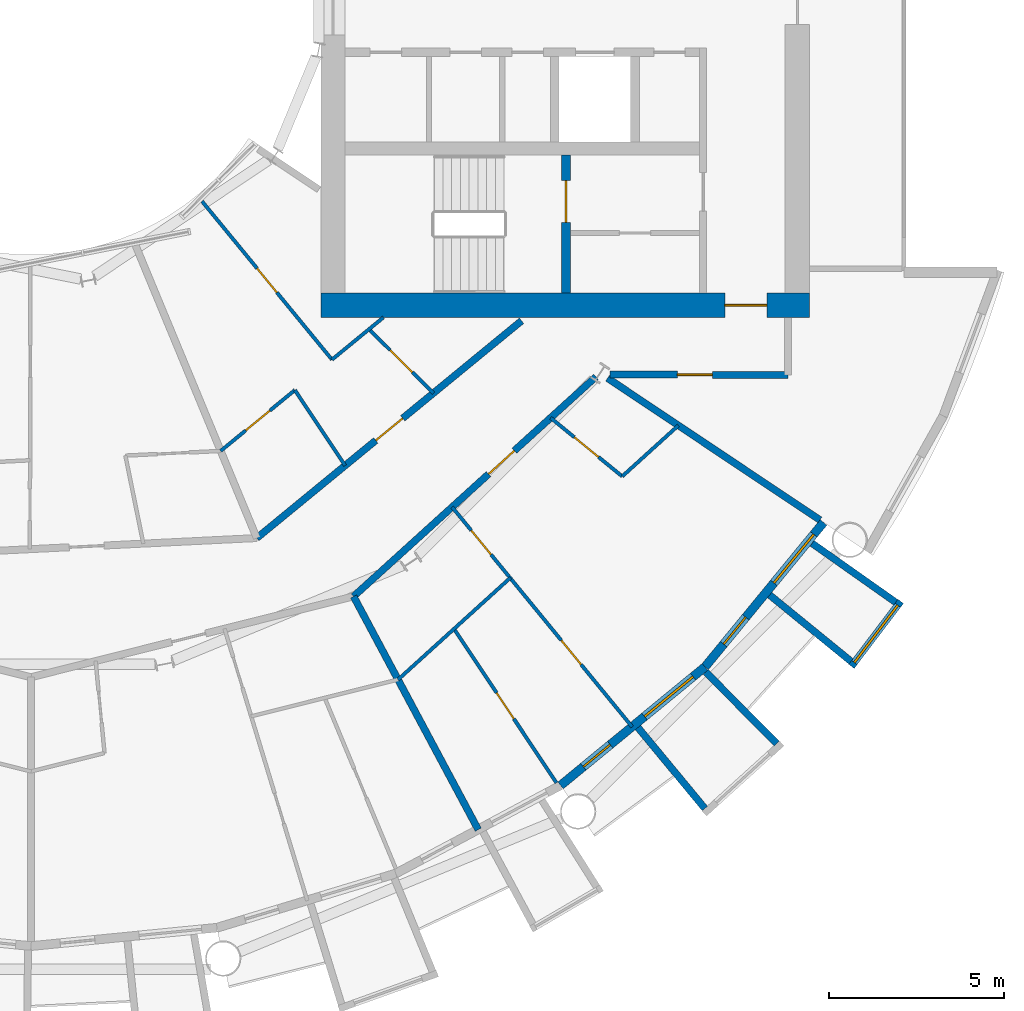
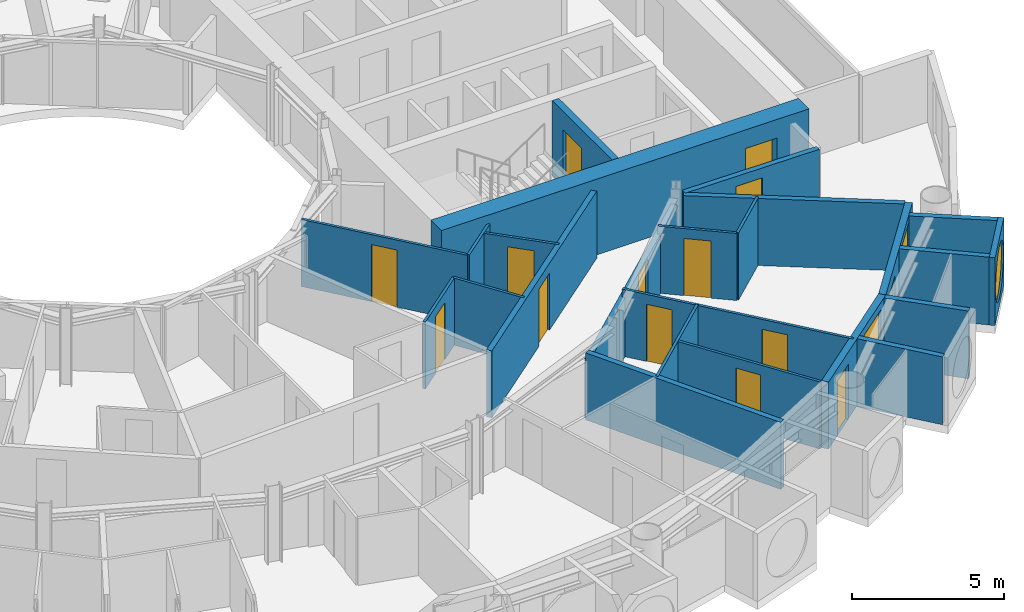
# One storey, part 16 of 26: 24 walls, 14 doors, 3 windows, 17 openings.
"""IFC4 building model written with IfcOpenShell, lengths in metres."""

from ifc_helpers import new_model, si_unit, direction, frame, frame_2d, origin, place, context, subcontext, project, spatial, rectangle, circle, extrude, material, layer, layer_set, type_object, element, fill, save


model = new_model("IFC4")

# Units and contexts
model_context = context("Model", 3, precision=1e-05, world=origin(), true_north=direction((0.0, 1.0)))
body_context = subcontext(model_context, "Body", "Model", "MODEL_VIEW")
ifc_project = project(units=[si_unit("LENGTHUNIT", "METRE"), si_unit("AREAUNIT", "SQUARE_METRE"), si_unit("VOLUMEUNIT", "CUBIC_METRE"), si_unit("PLANEANGLEUNIT", "RADIAN"), si_unit("MASSUNIT", "GRAM", prefix="KILO")], contexts=[model_context])

# Site, building, storey
site_placement = place(None, origin())
site = spatial("IfcSite", under=ifc_project, at=site_placement, CompositionType="ELEMENT")
building_placement = place(site_placement, origin())
building = spatial("IfcBuilding", under=site, at=building_placement, Name="Maasbend Ring Residences", CompositionType="ELEMENT")
storey_placement = place(building_placement, frame((0.0, 0.0, 81.89990234375)))
storey = spatial("IfcBuildingStorey", under=building, at=storey_placement, Name="L23", CompositionType="ELEMENT", Elevation=81.89990234375)

# Wall, opening, door
ifc_material_1 = material(Name="Concrete C70/85", Category="concrete")
ifc_layer_1 = layer(ifc_material_1, 0.25)
ifc_layer_set_1 = layer_set([ifc_layer_1], Name="Concrete C70/85")
wall_type_1 = type_object("IfcWallType", Name="CORE WALL 250 C70/85", PredefinedType="SHEAR", material=ifc_layer_set_1)
wall_1_placement = place(storey_placement, frame((15.324951171875, -8.60009765625, 0.0), z_axis=(0.0, 0.0, 1.0), x_axis=(0.0, 1.0, 0.0)))
wall_1 = element("IfcWall", 1, at=wall_1_placement, inside=storey, type_object=wall_type_1, Name="L23 core E wall STES", PredefinedType="SHEAR", context=body_context, shape_type="SweptSolid", body=[
    extrude(rectangle(XDim=3.9501953125, YDim=0.25, at=frame_2d((1.97509765625, 0.0))), origin(), (0.0, 0.0, 1.0), 3.050048828125),
])
opening_1_placement = place(wall_1_placement, frame((2.02490234375, 0.0, 0.0)))
opening_1 = element("IfcOpeningElement", 2, at=opening_1_placement, cuts=wall_1, Name="Opening D-E2312", PredefinedType="OPENING", context=body_context, shape_type="SweptSolid", body=[
    extrude(rectangle(XDim=1.199951171875, YDim=2.300048828125, at=frame_2d((0.60009765625, 1.14990234375))), frame((0.0, 0.135009765625, 0.0), z_axis=(0.0, -1.0, 0.0), x_axis=(1.0, 0.0, 0.0)), (0.0, 0.0, 1.0), 0.27001953125),
])
ifc_material_2 = material(Name="Steel, powder coated", Category="steel")
door_type_1 = type_object("IfcDoorType", Name="STAIR DOOR 1200 X 2300 FD60", OperationType="NOTDEFINED", PredefinedType="DOOR", material=ifc_material_2)
door_1_placement = place(opening_1_placement, origin())
door_1 = element("IfcDoor", 3, at=door_1_placement, inside=storey, type_object=door_type_1, Name="Stair door ST-E L23", OperationType="SINGLE_SWING_LEFT", OverallHeight=2.300048828125, OverallWidth=1.199951171875, PredefinedType="DOOR", context=body_context, shape_type="SweptSolid", body=[
    extrude(rectangle(XDim=1.199951171875, YDim=2.300048828125, at=frame_2d((0.60009765625, 1.14990234375))), frame((0.0, 0.02490234375, 0.0), z_axis=(0.0, -1.0, 0.0), x_axis=(1.0, 0.0, 0.0)), (0.0, 0.0, 1.0), 0.050048828125),
])
fill(opening_1, door_1)

ifc_material_3 = material(Name="Concrete C70/85", Category="concrete")
ifc_layer_2 = layer(ifc_material_3, 0.699951171875)
ifc_layer_set_2 = layer_set([ifc_layer_2], Name="Concrete C70/85")
wall_type_2 = type_object("IfcWallType", Name="CORE WALL 700 C70/85", PredefinedType="SHEAR", material=ifc_layer_set_2)
wall_2_placement = place(storey_placement, frame((8.300048828125, -8.949951171875, 0.0), z_axis=(0.0, 0.0, 1.0), x_axis=(1.0, 0.0, 0.0)))
wall_2 = element("IfcWall", 4, at=wall_2_placement, inside=storey, type_object=wall_type_2, Name="L23 core E wall PS", PredefinedType="SHEAR", context=body_context, shape_type="SweptSolid", body=[
    extrude(rectangle(XDim=14.0, YDim=0.699951171875, at=frame_2d((7.0, 0.0))), origin(), (0.0, 0.0, 1.0), 3.050048828125),
])
opening_2_placement = place(wall_2_placement, frame((11.574951171875, 0.0, 0.0)))
opening_2 = element("IfcOpeningElement", 5, at=opening_2_placement, cuts=wall_2, Name="Opening D-E2316", PredefinedType="OPENING", context=body_context, shape_type="SweptSolid", body=[
    extrude(rectangle(XDim=1.199951171875, YDim=2.300048828125, at=frame_2d((0.60009765625, 1.14990234375))), frame((0.0, 0.35986328125, 0.0), z_axis=(0.0, -1.0, 0.0), x_axis=(1.0, 0.0, 0.0)), (0.0, 0.0, 1.0), 0.719970703125),
])
ifc_material_4 = material(Name="Steel, powder coated", Category="steel")
door_type_2 = type_object("IfcDoorType", Name="CORRIDOR DOOR 1200 X 2300 FD30S", OperationType="NOTDEFINED", PredefinedType="DOOR", material=ifc_material_4)
door_2_placement = place(opening_2_placement, origin())
door_2 = element("IfcDoor", 6, at=door_2_placement, inside=storey, type_object=door_type_2, Name="Corridor door L23", OperationType="SINGLE_SWING_LEFT", OverallHeight=2.300048828125, OverallWidth=1.199951171875, PredefinedType="DOOR", context=body_context, shape_type="SweptSolid", body=[
    extrude(rectangle(XDim=1.199951171875, YDim=2.300048828125, at=frame_2d((0.60009765625, 1.14990234375))), frame((0.0, 0.02490234375, 0.0), z_axis=(0.0, -1.0, 0.0), x_axis=(1.0, 0.0, 0.0)), (0.0, 0.0, 1.0), 0.050048828125),
])
fill(opening_2, door_2)

ifc_material_5 = material(Name="Concrete C30/37", Category="concrete")
ifc_layer_3 = layer(ifc_material_5, 0.199951171875)
ifc_layer_set_3 = layer_set([ifc_layer_3], Name="Concrete C30/37")
wall_type_3 = type_object("IfcWallType", Name="CORRIDOR WALL 200 CONCRETE", PredefinedType="PARTITIONING", material=ifc_layer_set_3)
wall_3_placement = place(storey_placement, frame((9.239013671875, -17.285888671875, 0.0), z_axis=(0.0, 0.0, 1.0), x_axis=(0.740909940942, 0.671604392044, 0.0)))
wall_3 = element("IfcWall", 7, at=wall_3_placement, inside=storey, type_object=wall_type_3, Name="U-L23-w014", PredefinedType="PARTITIONING", context=body_context, shape_type="SweptSolid", body=[
    extrude(rectangle(XDim=9.36669921875, YDim=0.199951171875, at=frame_2d((4.683349609375, 0.0))), origin(), (0.0, 0.0, 1.0), 2.380126953125),
])
opening_3_placement = place(wall_3_placement, frame((5.215087890625, 0.0, 0.0)))
opening_3 = element("IfcOpeningElement", 8, at=opening_3_placement, cuts=wall_3, Name="Opening D-2348", PredefinedType="OPENING", context=body_context, shape_type="SweptSolid", body=[
    extrude(rectangle(XDim=1.0, YDim=2.300048828125, at=frame_2d((0.5, 1.14990234375))), frame((0.0, 0.10986328125, 0.0), z_axis=(0.0, -1.0, 0.0), x_axis=(1.0, 0.0, 0.0)), (0.0, 0.0, 1.0), 0.219970703125),
])
ifc_material_6 = material(Name="Timber, fire-rated, painted", Category="wood")
door_type_3 = type_object("IfcDoorType", Name="FLAT ENTRANCE DOOR 1000 X 2300 FIRE-RATED", OperationType="NOTDEFINED", PredefinedType="DOOR", material=ifc_material_6)
door_3_placement = place(opening_3_placement, origin())
door_3 = element("IfcDoor", 9, at=door_3_placement, inside=storey, type_object=door_type_3, Name="D-2348", OperationType="SINGLE_SWING_RIGHT", OverallHeight=2.300048828125, OverallWidth=1.0, PredefinedType="DOOR", context=body_context, shape_type="SweptSolid", body=[
    extrude(rectangle(XDim=1.0, YDim=2.300048828125, at=frame_2d((0.5, 1.14990234375))), frame((0.0, 0.02490234375, 0.0), z_axis=(0.0, -1.0, 0.0), x_axis=(1.0, 0.0, 0.0)), (0.0, 0.0, 1.0), 0.050048828125),
])
fill(opening_3, door_3)

wall_4_placement = place(storey_placement, frame((6.467041015625, -15.614013671875, 0.0), z_axis=(0.0, 0.0, 1.0), x_axis=(0.773074935257, 0.634314704605, 0.0)))
wall_4 = element("IfcWall", 10, at=wall_4_placement, inside=storey, type_object=wall_type_3, Name="U-L23-w015", PredefinedType="PARTITIONING", context=body_context, shape_type="SweptSolid", body=[
    extrude(rectangle(XDim=9.808837890625, YDim=0.199951171875, at=frame_2d((4.904296875, 0.0))), origin(), (0.0, 0.0, 1.0), 2.7001953125),
])
opening_4_placement = place(wall_4_placement, frame((4.406982421875, 0.0, 0.0)))
opening_4 = element("IfcOpeningElement", 11, at=opening_4_placement, cuts=wall_4, Name="Opening D-2361", PredefinedType="OPENING", context=body_context, shape_type="SweptSolid", body=[
    extrude(rectangle(XDim=1.0, YDim=2.300048828125, at=frame_2d((0.5, 1.14990234375))), frame((0.0, 0.10986328125, 0.0), z_axis=(0.0, -1.0, 0.0), x_axis=(1.0, 0.0, 0.0)), (0.0, 0.0, 1.0), 0.219970703125),
])
door_4_placement = place(opening_4_placement, origin())
door_4 = element("IfcDoor", 12, at=door_4_placement, inside=storey, type_object=door_type_3, Name="D-2361", OperationType="SINGLE_SWING_RIGHT", OverallHeight=2.300048828125, OverallWidth=1.0, PredefinedType="DOOR", context=body_context, shape_type="SweptSolid", body=[
    extrude(rectangle(XDim=1.0, YDim=2.300048828125, at=frame_2d((0.5, 1.14990234375))), frame((0.0, 0.02490234375, 0.0), z_axis=(0.0, -1.0, 0.0), x_axis=(1.0, 0.0, 0.0)), (0.0, 0.0, 1.0), 0.050048828125),
])
fill(opening_4, door_4)

wall_5_placement = place(storey_placement, frame((16.587890625, -10.925048828125, 0.0), z_axis=(0.0, 0.0, 1.0), x_axis=(0.999988019025, -0.004895079807, 0.0)))
wall_5 = element("IfcWall", 13, at=wall_5_placement, inside=storey, type_object=wall_type_3, Name="U-L23-w025", PredefinedType="PARTITIONING", context=body_context, shape_type="SweptSolid", body=[
    extrude(rectangle(XDim=5.087158203125, YDim=0.199951171875, at=frame_2d((2.54345703125, 0.0))), origin(), (0.0, 0.0, 1.0), 2.7001953125),
])
opening_5_placement = place(wall_5_placement, frame((1.925048828125, 0.0, 0.0)))
opening_5 = element("IfcOpeningElement", 14, at=opening_5_placement, cuts=wall_5, Name="Opening D-2367", PredefinedType="OPENING", context=body_context, shape_type="SweptSolid", body=[
    extrude(rectangle(XDim=1.0, YDim=2.300048828125, at=frame_2d((0.5, 1.14990234375))), frame((0.0, 0.10986328125, 0.0), z_axis=(0.0, -1.0, 0.0), x_axis=(1.0, 0.0, 0.0)), (0.0, 0.0, 1.0), 0.219970703125),
])
ifc_material_7 = material(Name="Timber, painted", Category="wood")
door_type_4 = type_object("IfcDoorType", Name="ROOM DOOR 1000 X 2300", OperationType="NOTDEFINED", PredefinedType="DOOR", material=ifc_material_7)
door_5_placement = place(opening_5_placement, origin())
door_5 = element("IfcDoor", 15, at=door_5_placement, inside=storey, type_object=door_type_4, Name="D-2367", OperationType="SINGLE_SWING_LEFT", OverallHeight=2.300048828125, OverallWidth=1.0, PredefinedType="DOOR", context=body_context, shape_type="SweptSolid", body=[
    extrude(rectangle(XDim=1.0, YDim=2.300048828125, at=frame_2d((0.5, 1.14990234375))), frame((0.0, 0.02490234375, 0.0), z_axis=(0.0, -1.0, 0.0), x_axis=(1.0, 0.0, 0.0)), (0.0, 0.0, 1.0), 0.050048828125),
])
fill(opening_5, door_5)

# Walls
ifc_material_8 = material(Name="Pale anodised aluminium panel", Category="aluminium")
ifc_layer_4 = layer(ifc_material_8, 0.199951171875)
ifc_layer_set_4 = layer_set([ifc_layer_4], Name="EW-BOX")
wall_type_4 = type_object("IfcWallType", Name="EW-BOX", PredefinedType="SOLIDWALL", material=ifc_layer_set_4)
wall_6_placement = place(storey_placement, frame((17.384033203125, -21.041015625, -0.02978515625), z_axis=(0.0, 0.0, 1.0), x_axis=(0.63709551667, -0.770784861449, 0.0)))
element("IfcWall", 16, at=wall_6_placement, inside=storey, type_object=wall_type_4, Name="Box side wall S18 left", PredefinedType="SOLIDWALL", context=body_context, shape_type="SweptSolid", body=[
    extrude(rectangle(XDim=3.005859375, YDim=0.199951171875, at=frame_2d((1.5029296875, 0.0))), origin(), (0.0, 0.0, 1.0), 2.72998046875),
])
wall_7_placement = place(storey_placement, frame((19.322998046875, -19.449951171875, -0.02978515625), z_axis=(0.0, 0.0, 1.0), x_axis=(0.704476739375, -0.709727076896, 0.0)))
element("IfcWall", 17, at=wall_7_placement, inside=storey, type_object=wall_type_4, Name="Box side wall S18 right", PredefinedType="SOLIDWALL", context=body_context, shape_type="SweptSolid", body=[
    extrude(rectangle(XDim=2.883056640625, YDim=0.199951171875, at=frame_2d((1.44140625, 0.0))), origin(), (0.0, 0.0, 1.0), 2.72998046875),
])

# Wall, opening, window
wall_8_placement = place(storey_placement, frame((23.4970703125, -19.2890625, -0.02978515625), z_axis=(0.0, 0.0, 1.0), x_axis=(0.60418752353, 0.796842165306, 0.0)))
wall_8 = element("IfcWall", 18, at=wall_8_placement, inside=storey, type_object=wall_type_4, Name="Box front S20", PredefinedType="SOLIDWALL", context=body_context, shape_type="SweptSolid", body=[
    extrude(rectangle(XDim=2.3369140625, YDim=0.199951171875, at=frame_2d((1.16845703125, 0.0))), origin(), (0.0, 0.0, 1.0), 2.72998046875),
])
opening_6_placement = place(wall_8_placement, frame((0.128173828125, 0.0, 0.330078125)))
opening_6 = element("IfcOpeningElement", 19, at=opening_6_placement, cuts=wall_8, Name="Opening W-RD", PredefinedType="OPENING", context=body_context, shape_type="SweptSolid", body=[
    extrude(circle(Radius=1.0400390625, at=frame_2d((1.0400390625, 1.0400390625))), frame((0.0, 0.10986328125, 0.0), z_axis=(0.0, -1.0, 0.0), x_axis=(1.0, 0.0, 0.0)), (0.0, 0.0, 1.0), 0.219970703125),
])
ifc_material_9 = material(Name="Aluminium and clear glass", Category="aluminium")
window_type_1 = type_object("IfcWindowType", Name="W-RD", PartitioningType="SINGLE_PANEL", PredefinedType="WINDOW", material=ifc_material_9)
window_1_placement = place(opening_6_placement, origin())
window_1 = element("IfcWindow", 20, at=window_1_placement, inside=storey, type_object=window_type_1, Name="Round window S20", OverallHeight=2.080078125, OverallWidth=2.080078125, PartitioningType="SINGLE_PANEL", PredefinedType="WINDOW", context=body_context, shape_type="SweptSolid", body=[
    extrude(circle(Radius=1.0400390625, at=frame_2d((1.0400390625, 1.0400390625))), frame((0.0, 0.030029296875, 0.0), z_axis=(0.0, -1.0, 0.0), x_axis=(1.0, 0.0, 0.0)), (0.0, 0.0, 1.0), 0.06005859375),
])
fill(opening_6, window_1)

# Walls
wall_9_placement = place(storey_placement, frame((21.155029296875, -17.24609375, -0.02978515625), z_axis=(0.0, 0.0, 1.0), x_axis=(0.775179004516, -0.631741648902, 0.0)))
element("IfcWall", 21, at=wall_9_placement, inside=storey, type_object=wall_type_4, Name="Box side wall S20 left", PredefinedType="SOLIDWALL", context=body_context, shape_type="SweptSolid", body=[
    extrude(rectangle(XDim=3.005859375, YDim=0.199951171875, at=frame_2d((1.5029296875, 0.0))), origin(), (0.0, 0.0, 1.0), 2.72998046875),
])
wall_10_placement = place(storey_placement, frame((22.3701171875, -15.764892578125, -0.02978515625), z_axis=(0.0, 0.0, 1.0), x_axis=(0.817256123454, -0.576274612209, 0.0)))
element("IfcWall", 22, at=wall_10_placement, inside=storey, type_object=wall_type_4, Name="Box side wall S20 right", PredefinedType="SOLIDWALL", context=body_context, shape_type="SweptSolid", body=[
    extrude(rectangle(XDim=2.932861328125, YDim=0.199951171875, at=frame_2d((1.46630859375, 0.0))), origin(), (0.0, 0.0, 1.0), 2.72998046875),
])

# Wall, openings, door, window
ifc_material_10 = material(Name="Aluminium clad insulated panel", Category="aluminium")
ifc_layer_5 = layer(ifc_material_10, 0.25)
ifc_layer_set_5 = layer_set([ifc_layer_5], Name="EW-GL")
wall_type_5 = type_object("IfcWallType", Name="EW-GL", PredefinedType="SOLIDWALL", material=ifc_layer_set_5)
wall_11_placement = place(storey_placement, frame((15.1669921875, -22.698974609375, 0.0), z_axis=(0.0, 0.0, 1.0), x_axis=(0.773019449054, 0.634382322723, 0.0)))
wall_11 = element("IfcWall", 23, at=wall_11_placement, inside=storey, type_object=wall_type_5, Name="External wall S09", PredefinedType="SOLIDWALL", context=body_context, shape_type="SweptSolid", body=[
    extrude(rectangle(XDim=5.351806640625, YDim=0.25, at=frame_2d((2.67578125, 0.0))), origin(), (0.0, 0.0, 1.0), 2.7001953125),
])
opening_7_placement = place(wall_11_placement, frame((0.841064453125, 0.0, 0.0)))
opening_7 = element("IfcOpeningElement", 24, at=opening_7_placement, cuts=wall_11, Name="Opening D-LG", PredefinedType="OPENING", context=body_context, shape_type="SweptSolid", body=[
    extrude(rectangle(XDim=1.0, YDim=2.199951171875, at=frame_2d((0.5, 1.10009765625))), frame((0.0, 0.135009765625, 0.0), z_axis=(0.0, -1.0, 0.0), x_axis=(1.0, 0.0, 0.0)), (0.0, 0.0, 1.0), 0.27001953125),
])
opening_8_placement = place(wall_11_placement, frame((3.110595703125, 0.0, 0.300048828125)))
opening_8 = element("IfcOpeningElement", 25, at=opening_8_placement, cuts=wall_11, Name="Opening W-BX", PredefinedType="OPENING", context=body_context, shape_type="SweptSolid", body=[
    extrude(rectangle(XDim=1.800048828125, YDim=2.10009765625, at=frame_2d((0.89990234375, 1.050048828125))), frame((0.0, 0.135009765625, 0.0), z_axis=(0.0, -1.0, 0.0), x_axis=(1.0, 0.0, 0.0)), (0.0, 0.0, 1.0), 0.27001953125),
])
ifc_material_11 = material(Name="Aluminium and clear glass", Category="aluminium")
door_type_5 = type_object("IfcDoorType", Name="D-LG", OperationType="SINGLE_SWING_LEFT", PredefinedType="DOOR", material=ifc_material_11)
door_6_placement = place(opening_7_placement, origin())
door_6 = element("IfcDoor", 26, at=door_6_placement, inside=storey, type_object=door_type_5, Name="Loggia door S17", OperationType="SINGLE_SWING_LEFT", OverallHeight=2.199951171875, OverallWidth=1.0, PredefinedType="DOOR", context=body_context, shape_type="SweptSolid", body=[
    extrude(rectangle(XDim=1.0, YDim=2.199951171875, at=frame_2d((0.5, 1.10009765625))), frame((0.0, 0.02490234375, 0.0), z_axis=(0.0, -1.0, 0.0), x_axis=(1.0, 0.0, 0.0)), (0.0, 0.0, 1.0), 0.050048828125),
])
fill(opening_7, door_6)
ifc_material_12 = material(Name="Aluminium and clear glass", Category="aluminium")
window_type_2 = type_object("IfcWindowType", Name="W-BX", PartitioningType="DOUBLE_PANEL_VERTICAL", PredefinedType="WINDOW", material=ifc_material_12)
window_2_placement = place(opening_8_placement, origin())
window_2 = element("IfcWindow", 27, at=window_2_placement, inside=storey, type_object=window_type_2, Name="Window S18 room to box", OverallHeight=2.10009765625, OverallWidth=1.800048828125, PartitioningType="SINGLE_PANEL", PredefinedType="WINDOW", context=body_context, shape_type="SweptSolid", body=[
    extrude(rectangle(XDim=1.800048828125, YDim=2.10009765625, at=frame_2d((0.89990234375, 1.050048828125))), frame((0.0, 0.030029296875, 0.0), z_axis=(0.0, -1.0, 0.0), x_axis=(1.0, 0.0, 0.0)), (0.0, 0.0, 1.0), 0.06005859375),
])
fill(opening_8, window_2)

wall_12_placement = place(storey_placement, frame((19.303955078125, -19.303955078125, 0.0), z_axis=(0.0, 0.0, 1.0), x_axis=(0.634382322723, 0.773019449054, 0.0)))
wall_12 = element("IfcWall", 28, at=wall_12_placement, inside=storey, type_object=wall_type_5, Name="External wall S10", PredefinedType="SOLIDWALL", context=body_context, shape_type="SweptSolid", body=[
    extrude(rectangle(XDim=5.351806640625, YDim=0.25, at=frame_2d((2.67578125, 0.0))), origin(), (0.0, 0.0, 1.0), 2.7001953125),
])
opening_9_placement = place(wall_12_placement, frame((0.841064453125, 0.0, 0.0)))
opening_9 = element("IfcOpeningElement", 29, at=opening_9_placement, cuts=wall_12, Name="Opening D-LG", PredefinedType="OPENING", context=body_context, shape_type="SweptSolid", body=[
    extrude(rectangle(XDim=1.0, YDim=2.199951171875, at=frame_2d((0.5, 1.10009765625))), frame((0.0, 0.135009765625, 0.0), z_axis=(0.0, -1.0, 0.0), x_axis=(1.0, 0.0, 0.0)), (0.0, 0.0, 1.0), 0.27001953125),
])
opening_10_placement = place(wall_12_placement, frame((3.110595703125, 0.0, 0.300048828125)))
opening_10 = element("IfcOpeningElement", 30, at=opening_10_placement, cuts=wall_12, Name="Opening W-BX", PredefinedType="OPENING", context=body_context, shape_type="SweptSolid", body=[
    extrude(rectangle(XDim=1.800048828125, YDim=2.10009765625, at=frame_2d((0.89990234375, 1.050048828125))), frame((0.0, 0.135009765625, 0.0), z_axis=(0.0, -1.0, 0.0), x_axis=(1.0, 0.0, 0.0)), (0.0, 0.0, 1.0), 0.27001953125),
])
door_7_placement = place(opening_9_placement, origin())
door_7 = element("IfcDoor", 31, at=door_7_placement, inside=storey, type_object=door_type_5, Name="Loggia door S19", OperationType="SINGLE_SWING_LEFT", OverallHeight=2.199951171875, OverallWidth=1.0, PredefinedType="DOOR", context=body_context, shape_type="SweptSolid", body=[
    extrude(rectangle(XDim=1.0, YDim=2.199951171875, at=frame_2d((0.5, 1.10009765625))), frame((0.0, 0.02490234375, 0.0), z_axis=(0.0, -1.0, 0.0), x_axis=(1.0, 0.0, 0.0)), (0.0, 0.0, 1.0), 0.050048828125),
])
fill(opening_9, door_7)
window_3_placement = place(opening_10_placement, origin())
window_3 = element("IfcWindow", 32, at=window_3_placement, inside=storey, type_object=window_type_2, Name="Window S20 room to box", OverallHeight=2.10009765625, OverallWidth=1.800048828125, PartitioningType="SINGLE_PANEL", PredefinedType="WINDOW", context=body_context, shape_type="SweptSolid", body=[
    extrude(rectangle(XDim=1.800048828125, YDim=2.10009765625, at=frame_2d((0.89990234375, 1.050048828125))), frame((0.0, 0.030029296875, 0.0), z_axis=(0.0, -1.0, 0.0), x_axis=(1.0, 0.0, 0.0)), (0.0, 0.0, 1.0), 0.06005859375),
])
fill(opening_10, window_3)

# Walls
ifc_material_13 = material(Name="Gypsum board on steel studs", Category="steel")
ifc_layer_6 = layer(ifc_material_13, 0.10009765625)
ifc_layer_set_6 = layer_set([ifc_layer_6], Name="PARTITION 100 GYPSUM")
wall_type_6 = type_object("IfcWallType", Name="PARTITION 100 GYPSUM", PredefinedType="PARTITIONING", material=ifc_layer_set_6)
wall_13_placement = place(storey_placement, frame((10.512939453125, -19.66796875, 0.0), z_axis=(0.0, 0.0, 1.0), x_axis=(0.74092137325, 0.671591779775, 0.0)))
element("IfcWall", 33, at=wall_13_placement, inside=storey, type_object=wall_type_6, Name="U-L23-w009", PredefinedType="PARTITIONING", context=body_context, shape_type="SweptSolid", body=[
    extrude(rectangle(XDim=4.342041015625, YDim=0.10009765625, at=frame_2d((2.1708984375, 0.0))), origin(), (0.0, 0.0, 1.0), 2.7001953125),
])
wall_14_placement = place(storey_placement, frame((16.93603515625, -13.844970703125, 0.0), z_axis=(0.0, 0.0, 1.0), x_axis=(0.740836325503, 0.671685595212, 0.0)))
element("IfcWall", 34, at=wall_14_placement, inside=storey, type_object=wall_type_6, Name="U-L23-w010", PredefinedType="PARTITIONING", context=body_context, shape_type="SweptSolid", body=[
    extrude(rectangle(XDim=2.167724609375, YDim=0.10009765625, at=frame_2d((1.083984375, 0.0))), origin(), (0.0, 0.0, 1.0), 2.7001953125),
])

# Wall, opening, door
wall_15_placement = place(storey_placement, frame((5.43408203125, -13.118896484375, 0.0), z_axis=(0.0, 0.0, 1.0), x_axis=(0.773049907698, 0.634345205868, 0.0)))
wall_15 = element("IfcWall", 35, at=wall_15_placement, inside=storey, type_object=wall_type_6, Name="U-L23-w018", PredefinedType="PARTITIONING", context=body_context, shape_type="SweptSolid", body=[
    extrude(rectangle(XDim=2.74755859375, YDim=0.10009765625, at=frame_2d((1.373779296875, 0.0))), origin(), (0.0, 0.0, 1.0), 2.7001953125),
])
opening_11_placement = place(wall_15_placement, frame((0.924072265625, 0.0, 0.0)))
opening_11 = element("IfcOpeningElement", 36, at=opening_11_placement, cuts=wall_15, Name="Opening D-2362", PredefinedType="OPENING", context=body_context, shape_type="SweptSolid", body=[
    extrude(rectangle(XDim=0.89990234375, YDim=2.300048828125, at=frame_2d((0.449951171875, 1.14990234375))), frame((0.0, 0.06005859375, 0.0), z_axis=(0.0, -1.0, 0.0), x_axis=(1.0, 0.0, 0.0)), (0.0, 0.0, 1.0), 0.1201171875),
])
ifc_material_14 = material(Name="Timber, painted", Category="wood")
door_type_6 = type_object("IfcDoorType", Name="INTERNAL DOOR 900 X 2300", OperationType="NOTDEFINED", PredefinedType="DOOR", material=ifc_material_14)
door_8_placement = place(opening_11_placement, origin())
door_8 = element("IfcDoor", 37, at=door_8_placement, inside=storey, type_object=door_type_6, Name="D-2362", OperationType="SINGLE_SWING_RIGHT", OverallHeight=2.300048828125, OverallWidth=0.89990234375, PredefinedType="DOOR", context=body_context, shape_type="SweptSolid", body=[
    extrude(rectangle(XDim=0.89990234375, YDim=2.300048828125, at=frame_2d((0.449951171875, 1.14990234375))), frame((0.0, 0.02490234375, 0.0), z_axis=(0.0, -1.0, 0.0), x_axis=(1.0, 0.0, 0.0)), (0.0, 0.0, 1.0), 0.050048828125),
])
fill(opening_11, door_8)

# Wall
wall_16_placement = place(storey_placement, frame((8.6201171875, -10.5048828125, 0.0), z_axis=(0.0, 0.0, 1.0), x_axis=(0.772957368531, 0.6344579627, 0.0)))
element("IfcWall", 38, at=wall_16_placement, inside=storey, type_object=wall_type_6, Name="U-L23-w019", PredefinedType="PARTITIONING", context=body_context, shape_type="SweptSolid", body=[
    extrude(rectangle(XDim=1.905517578125, YDim=0.10009765625, at=frame_2d((0.95263671875, 0.0))), origin(), (0.0, 0.0, 1.0), 2.7001953125),
])

# Wall, opening, door
wall_17_placement = place(storey_placement, frame((4.89794921875, -5.968017578125, 0.0), z_axis=(0.0, 0.0, 1.0), x_axis=(0.634358693064, -0.773038840249, 0.0)))
wall_17 = element("IfcWall", 39, at=wall_17_placement, inside=storey, type_object=wall_type_6, Name="U-L23-w063", PredefinedType="PARTITIONING", context=body_context, shape_type="SweptSolid", body=[
    extrude(rectangle(XDim=5.86767578125, YDim=0.10009765625, at=frame_2d((2.933837890625, 0.0))), origin(), (0.0, 0.0, 1.0), 2.7001953125),
])
opening_12_placement = place(wall_17_placement, frame((2.48388671875, 0.0, 0.0)))
opening_12 = element("IfcOpeningElement", 40, at=opening_12_placement, cuts=wall_17, Name="Opening D-2364", PredefinedType="OPENING", context=body_context, shape_type="SweptSolid", body=[
    extrude(rectangle(XDim=0.89990234375, YDim=2.300048828125, at=frame_2d((0.449951171875, 1.14990234375))), frame((0.0, 0.06005859375, 0.0), z_axis=(0.0, -1.0, 0.0), x_axis=(1.0, 0.0, 0.0)), (0.0, 0.0, 1.0), 0.1201171875),
])
door_9_placement = place(opening_12_placement, origin())
door_9 = element("IfcDoor", 41, at=door_9_placement, inside=storey, type_object=door_type_6, Name="D-2364", OperationType="SINGLE_SWING_LEFT", OverallHeight=2.300048828125, OverallWidth=0.89990234375, PredefinedType="DOOR", context=body_context, shape_type="SweptSolid", body=[
    extrude(rectangle(XDim=0.89990234375, YDim=2.300048828125, at=frame_2d((0.449951171875, 1.14990234375))), frame((0.0, 0.02490234375, 0.0), z_axis=(0.0, -1.0, 0.0), x_axis=(1.0, 0.0, 0.0)), (0.0, 0.0, 1.0), 0.050048828125),
])
fill(opening_12, door_9)

# Wall
wall_18_placement = place(storey_placement, frame((7.55810546875, -11.3759765625, 0.0), z_axis=(0.0, 0.0, 1.0), x_axis=(0.553615197403, -0.83277260594, 0.0)))
element("IfcWall", 42, at=wall_18_placement, inside=storey, type_object=wall_type_6, Name="U-L23-w067", PredefinedType="PARTITIONING", context=body_context, shape_type="SweptSolid", body=[
    extrude(rectangle(XDim=2.597412109375, YDim=0.10009765625, at=frame_2d((1.298828125, 0.0))), origin(), (0.0, 0.0, 1.0), 2.7001953125),
])

# Wall, opening, door
wall_19_placement = place(storey_placement, frame((9.68310546875, -9.632080078125, 0.0), z_axis=(0.0, 0.0, 1.0), x_axis=(0.708796844581, -0.705412668665, 0.0)))
wall_19 = element("IfcWall", 43, at=wall_19_placement, inside=storey, type_object=wall_type_6, Name="U-L23-w072", PredefinedType="PARTITIONING", context=body_context, shape_type="SweptSolid", body=[
    extrude(rectangle(XDim=2.59716796875, YDim=0.10009765625, at=frame_2d((1.298583984375, 0.0))), origin(), (0.0, 0.0, 1.0), 2.7001953125),
])
opening_13_placement = place(wall_19_placement, frame((0.84912109375, 0.0, 0.0)))
opening_13 = element("IfcOpeningElement", 44, at=opening_13_placement, cuts=wall_19, Name="Opening D-2363", PredefinedType="OPENING", context=body_context, shape_type="SweptSolid", body=[
    extrude(rectangle(XDim=0.89990234375, YDim=2.300048828125, at=frame_2d((0.449951171875, 1.14990234375))), frame((0.0, 0.06005859375, 0.0), z_axis=(0.0, -1.0, 0.0), x_axis=(1.0, 0.0, 0.0)), (0.0, 0.0, 1.0), 0.1201171875),
])
door_10_placement = place(opening_13_placement, origin())
door_10 = element("IfcDoor", 45, at=door_10_placement, inside=storey, type_object=door_type_6, Name="D-2363", OperationType="SINGLE_SWING_RIGHT", OverallHeight=2.300048828125, OverallWidth=0.89990234375, PredefinedType="DOOR", context=body_context, shape_type="SweptSolid", body=[
    extrude(rectangle(XDim=0.89990234375, YDim=2.300048828125, at=frame_2d((0.449951171875, 1.14990234375))), frame((0.0, 0.02490234375, 0.0), z_axis=(0.0, -1.0, 0.0), x_axis=(1.0, 0.0, 0.0)), (0.0, 0.0, 1.0), 0.050048828125),
])
fill(opening_13, door_10)

# Wall, openings, doors
wall_20_placement = place(storey_placement, frame((12.06201171875, -14.72705078125, 0.0), z_axis=(0.0, 0.0, 1.0), x_axis=(0.633664062855, -0.773608334654, 0.0)))
wall_20 = element("IfcWall", 46, at=wall_20_placement, inside=storey, type_object=wall_type_6, Name="U-L23-w075", PredefinedType="PARTITIONING", context=body_context, shape_type="SweptSolid", body=[
    extrude(rectangle(XDim=8.138427734375, YDim=0.10009765625, at=frame_2d((4.0693359375, 0.0))), origin(), (0.0, 0.0, 1.0), 2.7001953125),
])
opening_14_placement = place(wall_20_placement, frame((0.861083984375, 0.0, 0.0)))
opening_14 = element("IfcOpeningElement", 47, at=opening_14_placement, cuts=wall_20, Name="Opening D-2350", PredefinedType="OPENING", context=body_context, shape_type="SweptSolid", body=[
    extrude(rectangle(XDim=0.89990234375, YDim=2.300048828125, at=frame_2d((0.449951171875, 1.14990234375))), frame((0.0, 0.06005859375, 0.0), z_axis=(0.0, -1.0, 0.0), x_axis=(1.0, 0.0, 0.0)), (0.0, 0.0, 1.0), 0.1201171875),
])
opening_15_placement = place(wall_20_placement, frame((4.930908203125, 0.0, 0.0)))
opening_15 = element("IfcOpeningElement", 48, at=opening_15_placement, cuts=wall_20, Name="Opening D-2351", PredefinedType="OPENING", context=body_context, shape_type="SweptSolid", body=[
    extrude(rectangle(XDim=0.89990234375, YDim=2.300048828125, at=frame_2d((0.449951171875, 1.14990234375))), frame((0.0, 0.06005859375, 0.0), z_axis=(0.0, -1.0, 0.0), x_axis=(1.0, 0.0, 0.0)), (0.0, 0.0, 1.0), 0.1201171875),
])
door_11_placement = place(opening_14_placement, origin())
door_11 = element("IfcDoor", 49, at=door_11_placement, inside=storey, type_object=door_type_6, Name="D-2350", OperationType="SINGLE_SWING_LEFT", OverallHeight=2.300048828125, OverallWidth=0.89990234375, PredefinedType="DOOR", context=body_context, shape_type="SweptSolid", body=[
    extrude(rectangle(XDim=0.89990234375, YDim=2.300048828125, at=frame_2d((0.449951171875, 1.14990234375))), frame((0.0, 0.02490234375, 0.0), z_axis=(0.0, -1.0, 0.0), x_axis=(1.0, 0.0, 0.0)), (0.0, 0.0, 1.0), 0.050048828125),
])
fill(opening_14, door_11)
door_12_placement = place(opening_15_placement, origin())
door_12 = element("IfcDoor", 50, at=door_12_placement, inside=storey, type_object=door_type_6, Name="D-2351", OperationType="SINGLE_SWING_RIGHT", OverallHeight=2.300048828125, OverallWidth=0.89990234375, PredefinedType="DOOR", context=body_context, shape_type="SweptSolid", body=[
    extrude(rectangle(XDim=0.89990234375, YDim=2.300048828125, at=frame_2d((0.449951171875, 1.14990234375))), frame((0.0, 0.02490234375, 0.0), z_axis=(0.0, -1.0, 0.0), x_axis=(1.0, 0.0, 0.0)), (0.0, 0.0, 1.0), 0.050048828125),
])
fill(opening_15, door_12)

# Wall, opening, door
wall_21_placement = place(storey_placement, frame((12.114990234375, -18.212890625, 0.0), z_axis=(0.0, 0.0, 1.0), x_axis=(0.553913391217, -0.832574294, 0.0)))
wall_21 = element("IfcWall", 51, at=wall_21_placement, inside=storey, type_object=wall_type_6, Name="U-L23-w076", PredefinedType="PARTITIONING", context=body_context, shape_type="SweptSolid", body=[
    extrude(rectangle(XDim=5.300537109375, YDim=0.10009765625, at=frame_2d((2.650390625, 0.0))), origin(), (0.0, 0.0, 1.0), 2.7001953125),
])
opening_16_placement = place(wall_21_placement, frame((2.199951171875, 0.0, 0.0)))
opening_16 = element("IfcOpeningElement", 52, at=opening_16_placement, cuts=wall_21, Name="Opening D-2352", PredefinedType="OPENING", context=body_context, shape_type="SweptSolid", body=[
    extrude(rectangle(XDim=0.89990234375, YDim=2.300048828125, at=frame_2d((0.449951171875, 1.14990234375))), frame((0.0, 0.06005859375, 0.0), z_axis=(0.0, -1.0, 0.0), x_axis=(1.0, 0.0, 0.0)), (0.0, 0.0, 1.0), 0.1201171875),
])
door_13_placement = place(opening_16_placement, origin())
door_13 = element("IfcDoor", 53, at=door_13_placement, inside=storey, type_object=door_type_6, Name="D-2352", OperationType="SINGLE_SWING_LEFT", OverallHeight=2.300048828125, OverallWidth=0.89990234375, PredefinedType="DOOR", context=body_context, shape_type="SweptSolid", body=[
    extrude(rectangle(XDim=0.89990234375, YDim=2.300048828125, at=frame_2d((0.449951171875, 1.14990234375))), frame((0.0, 0.02490234375, 0.0), z_axis=(0.0, -1.0, 0.0), x_axis=(1.0, 0.0, 0.0)), (0.0, 0.0, 1.0), 0.050048828125),
])
fill(opening_16, door_13)

wall_22_placement = place(storey_placement, frame((14.882080078125, -12.1708984375, 0.0), z_axis=(0.0, 0.0, 1.0), x_axis=(0.774162545943, -0.632986850147, 0.0)))
wall_22 = element("IfcWall", 54, at=wall_22_placement, inside=storey, type_object=wall_type_6, Name="U-L23-w078", PredefinedType="PARTITIONING", context=body_context, shape_type="SweptSolid", body=[
    extrude(rectangle(XDim=2.6494140625, YDim=0.10009765625, at=frame_2d((1.32470703125, 0.0))), origin(), (0.0, 0.0, 1.0), 2.7001953125),
])
opening_17_placement = place(wall_22_placement, frame((0.875, 0.0, 0.0)))
opening_17 = element("IfcOpeningElement", 55, at=opening_17_placement, cuts=wall_22, Name="Opening D-2349", PredefinedType="OPENING", context=body_context, shape_type="SweptSolid", body=[
    extrude(rectangle(XDim=0.89990234375, YDim=2.300048828125, at=frame_2d((0.449951171875, 1.14990234375))), frame((0.0, 0.06005859375, 0.0), z_axis=(0.0, -1.0, 0.0), x_axis=(1.0, 0.0, 0.0)), (0.0, 0.0, 1.0), 0.1201171875),
])
door_14_placement = place(opening_17_placement, origin())
door_14 = element("IfcDoor", 56, at=door_14_placement, inside=storey, type_object=door_type_6, Name="D-2349", OperationType="SINGLE_SWING_RIGHT", OverallHeight=2.300048828125, OverallWidth=0.89990234375, PredefinedType="DOOR", context=body_context, shape_type="SweptSolid", body=[
    extrude(rectangle(XDim=0.89990234375, YDim=2.300048828125, at=frame_2d((0.449951171875, 1.14990234375))), frame((0.0, 0.02490234375, 0.0), z_axis=(0.0, -1.0, 0.0), x_axis=(1.0, 0.0, 0.0)), (0.0, 0.0, 1.0), 0.050048828125),
])
fill(opening_17, door_14)

# Walls
ifc_material_15 = material(Name="Concrete C30/37", Category="concrete")
ifc_layer_7 = layer(ifc_material_15, 0.199951171875)
ifc_layer_set_7 = layer_set([ifc_layer_7], Name="Concrete C30/37")
wall_type_7 = type_object("IfcWallType", Name="PARTY WALL 200 CONCRETE", PredefinedType="PARTITIONING", material=ifc_layer_set_7)
wall_23_placement = place(storey_placement, frame((9.239013671875, -17.285888671875, 0.0), z_axis=(0.0, 0.0, 1.0), x_axis=(0.471439510802, -0.881898399848, 0.0)))
element("IfcWall", 57, at=wall_23_placement, inside=storey, type_object=wall_type_7, Name="U-L23-w070", PredefinedType="PARTITIONING", context=body_context, shape_type="SweptSolid", body=[
    extrude(rectangle(XDim=7.57470703125, YDim=0.199951171875, at=frame_2d((3.787353515625, 0.0))), origin(), (0.0, 0.0, 1.0), 2.7001953125),
])
wall_24_placement = place(storey_placement, frame((16.514892578125, -11.034912109375, 0.0), z_axis=(0.0, 0.0, 1.0), x_axis=(0.831505405283, -0.555516661303, 0.0)))
element("IfcWall", 58, at=wall_24_placement, inside=storey, type_object=wall_type_7, Name="U-L23-w079", PredefinedType="PARTITIONING", context=body_context, shape_type="SweptSolid", body=[
    extrude(rectangle(XDim=7.31201171875, YDim=0.199951171875, at=frame_2d((3.656005859375, 0.0))), origin(), (0.0, 0.0, 1.0), 2.7001953125),
])

save(model, "model.ifc")
